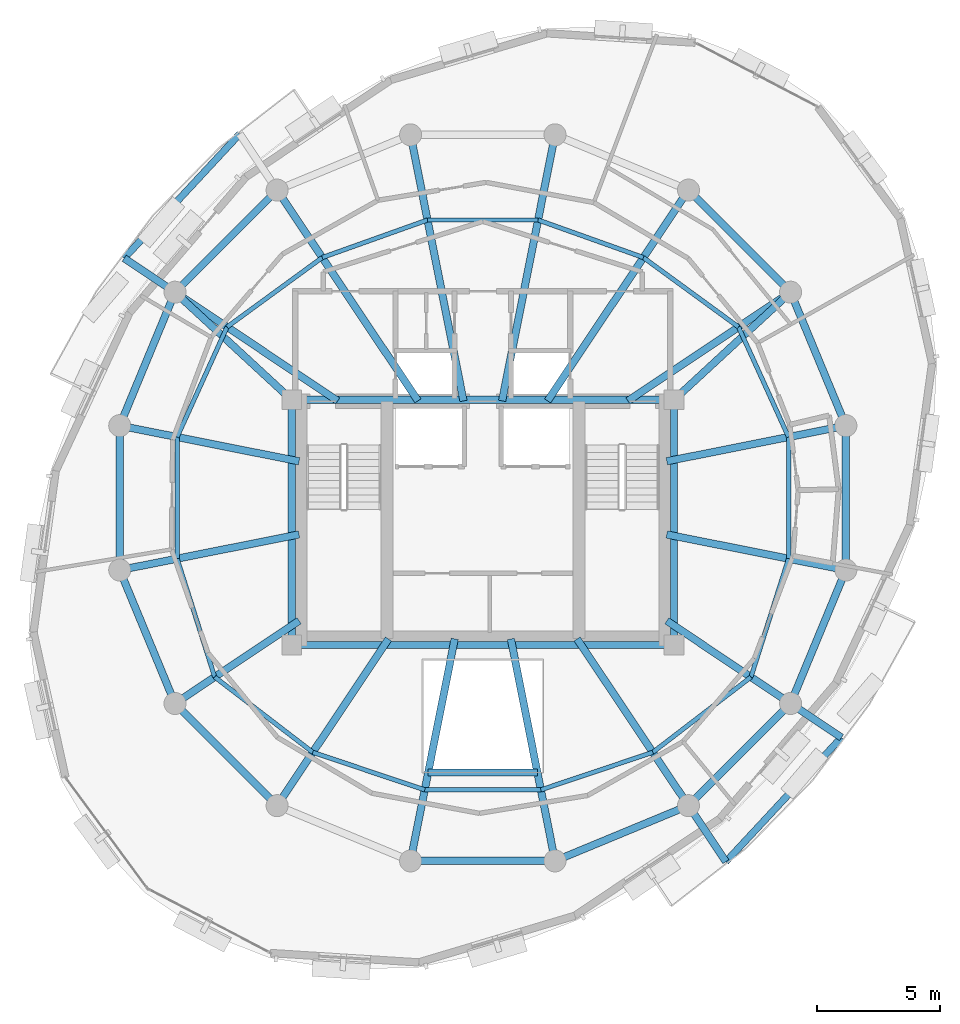
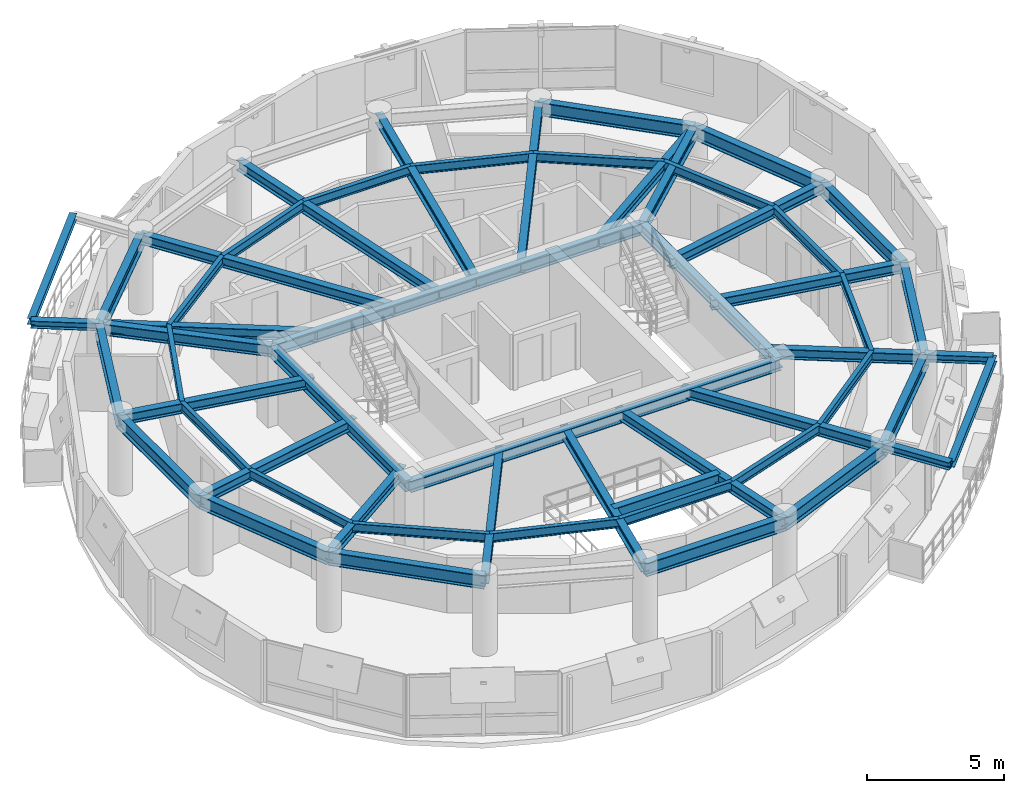
# One storey, part 3 of 11: 56 beams.
"""IFC4 building model written with IfcOpenShell, lengths in metres."""

import ifcopenshell
import ifcopenshell.guid

model = None  # the IFC model being written
_history = None  # IfcOwnerHistory: only IFC2X3 demands one
_inside = {}  # id of a spatial element -> (the spatial element, [elements in it])
_under = {}  # id of a project, library or spatial element -> (it, [spatial elements below it])
_declared = {}  # id of a project -> (the project, [libraries it declares])
_typed = {}  # id of a type object -> (the type object, [elements of that type])
_made_of = {}  # id of a material, layer set ... -> (it, [elements and type objects made of it])


def new_model(schema):
    """Start an empty IFC model of exactly this schema.

    Asked for "IFC4X3", IfcOpenShell would pick the latest addendum, in which some entities
    have other attributes; the version numbers below select the first issue.
    IFC2X3 requires an IfcOwnerHistory on every rooted entity: one is made here for all.
    """
    global model, _history
    if schema == "IFC4X3":
        model = ifcopenshell.file(schema_version=(4, 3, 0, 0))
    else:
        model = ifcopenshell.file(schema=schema)
    _inside.clear()
    _under.clear()
    _declared.clear()
    _typed.clear()
    _made_of.clear()
    _history = None
    if model.schema == "IFC2X3":
        org = make("IfcOrganization", Name="unknown")
        user = make(
            "IfcPersonAndOrganization",
            ThePerson=make("IfcPerson", FamilyName="unknown"),
            TheOrganization=org,
        )
        app = make(
            "IfcApplication",
            ApplicationDeveloper=org,
            Version="unknown",
            ApplicationFullName="unknown",
            ApplicationIdentifier="unknown",
        )
        _history = make(
            "IfcOwnerHistory",
            OwningUser=user,
            OwningApplication=app,
            ChangeAction="ADDED",
            CreationDate=0,
        )
    return model


def make(cls, **values):
    """One entity of the class cls with the attributes given. An attribute that is None is left unset."""
    return model.create_entity(
        cls, **{name: value for name, value in values.items() if value is not None}
    )


def rooted(cls, **values):
    """An entity with a GlobalId (a new one), such as an element, a storey or a relation."""
    return make(cls, GlobalId=ifcopenshell.guid.new(), OwnerHistory=_history, **values)


def si_unit(unit_type, name, prefix=None):
    """IfcSIUnit, for example si_unit("LENGTHUNIT", "METRE", prefix="MILLI")."""
    return make("IfcSIUnit", UnitType=unit_type, Prefix=prefix, Name=name)


def assignment(units):
    """IfcUnitAssignment: the units of a project."""
    return None if units is None else make("IfcUnitAssignment", Units=units)


def point(xyz):
    """IfcCartesianPoint."""
    return None if xyz is None else make("IfcCartesianPoint", Coordinates=xyz)


def direction(xyz):
    """IfcDirection."""
    return None if xyz is None else make("IfcDirection", DirectionRatios=xyz)


def frame(location, z_axis=None, x_axis=None):
    """IfcAxis2Placement3D, a coordinate frame: its origin and axes. An axis left out is left unset."""
    return make(
        "IfcAxis2Placement3D",
        Location=point(location),
        Axis=direction(z_axis),
        RefDirection=direction(x_axis),
    )


def frame_2d(location, x_axis=None):
    """IfcAxis2Placement2D, a coordinate frame in the plane: its origin and x axis."""
    return make(
        "IfcAxis2Placement2D", Location=point(location), RefDirection=direction(x_axis)
    )


def origin():
    """The frame at (0, 0, 0) with its axes left unset."""
    return frame((0.0, 0.0, 0.0))


def origin_2d():
    """The frame at (0, 0) in the plane with its x axis left unset."""
    return frame_2d((0.0, 0.0))


def place(relative_to, where):
    """IfcLocalPlacement: puts the frame where relative to a parent placement (None: the world)."""
    return make(
        "IfcLocalPlacement", PlacementRelTo=relative_to, RelativePlacement=where
    )


def context(
    kind, dimensions, precision=None, world=None, true_north=None, identifier=None
):
    """IfcGeometricRepresentationContext, for example the 3D "Model" context."""
    return make(
        "IfcGeometricRepresentationContext",
        ContextIdentifier=identifier,
        ContextType=kind,
        CoordinateSpaceDimension=dimensions,
        Precision=precision,
        WorldCoordinateSystem=world,
        TrueNorth=true_north,
    )


def subcontext(parent, identifier, kind, view, scale=None):
    """IfcGeometricRepresentationSubContext, for example "Body" below "Model"."""
    return make(
        "IfcGeometricRepresentationSubContext",
        ContextIdentifier=identifier,
        ContextType=kind,
        ParentContext=parent,
        TargetScale=scale,
        TargetView=view,
    )


def project(units=None, contexts=None):
    """IfcProject with its units and contexts."""
    return rooted(
        "IfcProject",
        Name="project",
        RepresentationContexts=contexts,
        UnitsInContext=assignment(units),
    )


def spatial(cls, under=None, at=None, **own):
    """A site, building, storey or space (cls), placed at a placement, below another one or the project."""
    s = rooted(cls, ObjectPlacement=at, **own)
    if under is not None:
        _under.setdefault(under.id(), (under, []))[1].append(s)
    return s


def profile(cls, at=None, kind="AREA", **sizes):
    """A parametric profile (cls). Its sizes go by their IFC names, for example OverallWidth=200.0."""
    return make(cls, ProfileType=kind, Position=at, **sizes)


def i_section(**sizes):
    """IfcIShapeProfileDef."""
    return profile("IfcIShapeProfileDef", **sizes)


def extrude(swept, where, along, depth):
    """IfcExtrudedAreaSolid: the profile swept, set in the frame where, extruded along a direction by depth."""
    return make(
        "IfcExtrudedAreaSolid",
        SweptArea=swept,
        Position=where,
        ExtrudedDirection=direction(along),
        Depth=depth,
    )


def shape(context_of_items, identifier, shape_type, items):
    """IfcShapeRepresentation: the items that make up one representation, for example the "Body"."""
    return make(
        "IfcShapeRepresentation",
        ContextOfItems=context_of_items,
        RepresentationIdentifier=identifier,
        RepresentationType=shape_type,
        Items=items,
    )


def material(Name=None, Category=None):
    """IfcMaterial."""
    return make("IfcMaterial", Name=Name, Category=Category)


def material_profile(
    of_material, cross_section, Name=None, Category=None, Priority=None
):
    """IfcMaterialProfile: a cross section and its material."""
    return make(
        "IfcMaterialProfile",
        Name=Name,
        Material=of_material,
        Profile=cross_section,
        Priority=Priority,
        Category=Category,
    )


def profile_set(profiles, Name=None, composite=None):
    """IfcMaterialProfileSet."""
    return make(
        "IfcMaterialProfileSet",
        Name=Name,
        MaterialProfiles=profiles,
        CompositeProfile=composite,
    )


def made_of(thing, what):
    """Note that an element or type object is made of a material, layer set ...; save() writes the relation."""
    if what is not None:
        _made_of.setdefault(what.id(), (what, []))[1].append(thing)
    return thing


def type_object(cls, material=None, **own):
    """A type object (cls), such as IfcWallType, which elements share."""
    return made_of(rooted(cls, **own), material)


def element(
    cls,
    number,
    at=None,
    inside=None,
    cuts=None,
    type_object=None,
    material=None,
    context=None,
    identifier="Body",
    shape_type=None,
    held_by="IfcProductDefinitionShape",
    body=None,
    shapes=None,
    **own,
):
    """One element of the class cls, such as IfcWall. Its Tag is "e" and its number.

    at: its placement. inside: the storey or other place that contains it. cuts: it is an
    opening in that element (IfcRelVoidsElement). A single representation is given by context,
    identifier, shape_type and body (its items); several are given by shapes. held_by: the class
    of the entity that holds the representations. save() writes the other relations.
    """
    e = rooted(cls, Tag="e%d" % number, ObjectPlacement=at, **own)
    if body is not None:
        shapes = [shape(context, identifier, shape_type, body)]
    if shapes is not None:
        e.Representation = make(held_by, Representations=shapes)
    if inside is not None:
        _inside.setdefault(inside.id(), (inside, []))[1].append(e)
    if cuts is not None:
        rooted(
            "IfcRelVoidsElement", RelatingBuildingElement=cuts, RelatedOpeningElement=e
        )
    if type_object is not None:
        _typed.setdefault(type_object.id(), (type_object, []))[1].append(e)
    return made_of(e, material)


def aggregate(whole, parts):
    """IfcRelAggregates: a whole, such as a stair, and the parts it consists of."""
    return rooted("IfcRelAggregates", RelatingObject=whole, RelatedObjects=parts)


def save(model, path):
    """Write the relations noted so far, then the file.

    IfcRelAggregates (storeys below a building ...), IfcRelContainedInSpatialStructure (elements
    in a storey), IfcRelDefinesByType, IfcRelAssociatesMaterial and IfcRelDeclares: one each for
    every whole, place, type object, material and project.
    """
    for whole, parts in _under.values():
        aggregate(whole, parts)
    for where, things in _inside.values():
        rooted(
            "IfcRelContainedInSpatialStructure",
            RelatedElements=things,
            RelatingStructure=where,
        )
    for kind, things in _typed.values():
        rooted("IfcRelDefinesByType", RelatedObjects=things, RelatingType=kind)
    for what, things in _made_of.values():
        rooted("IfcRelAssociatesMaterial", RelatedObjects=things, RelatingMaterial=what)
    for by, libraries in _declared.values():
        rooted("IfcRelDeclares", RelatingContext=by, RelatedDefinitions=libraries)
    model.write(path)


model = new_model("IFC4")

# Units and contexts
model_context = context("Model", 3, precision=1e-05, world=origin(), true_north=direction((0.0, 1.0)))
body_context = subcontext(model_context, "Body", "Model", "MODEL_VIEW")
ifc_project = project(units=[si_unit("LENGTHUNIT", "METRE"), si_unit("AREAUNIT", "SQUARE_METRE"), si_unit("VOLUMEUNIT", "CUBIC_METRE"), si_unit("PLANEANGLEUNIT", "RADIAN"), si_unit("MASSUNIT", "GRAM", prefix="KILO"), si_unit("THERMODYNAMICTEMPERATUREUNIT", "KELVIN"), si_unit("POWERUNIT", "WATT")], contexts=[model_context])

# Site, building, storey
site_placement = place(None, origin())
site = spatial("IfcSite", under=ifc_project, at=site_placement, CompositionType="ELEMENT")
building_placement = place(site_placement, origin())
building = spatial("IfcBuilding", under=site, at=building_placement, Name="Ocrelia Relay Tower", CompositionType="ELEMENT")
storey_placement = place(building_placement, frame((0.0, 0.0, 237.60009765625)))
storey = spatial("IfcBuildingStorey", under=building, at=storey_placement, Name="L58", CompositionType="ELEMENT", Elevation=237.60009765625)

# Beams
ifc_material = material(Name="Steel S355", Category="steel")
ifc_material_profile_1 = material_profile(ifc_material, i_section(OverallWidth=0.280029296875, OverallDepth=0.27001953125, WebThickness=0.008056640625, FlangeThickness=0.012939453125, FilletRadius=0.02392578125, at=origin_2d()), Name="HEA 280")
ifc_profile_set_1 = profile_set([ifc_material_profile_1], Name="Steel S355")
beam_type_1 = type_object("IfcBeamType", Name="BM-HEA280", PredefinedType="BEAM", material=ifc_profile_set_1)
for number, where, z_axis, x_axis, name in (
    (1, (24.081787109375, 40.843505859375, 3.244873046875), (-0.68080962338, -0.732460413069, 0.0), (0.732460413069, -0.68080962338, 0.0), "L59 Balcony Edge Trimmer Beam B1"),
    (2, (43.918212890625, 11.156494140625, 3.244873046875), (0.68080962338, 0.732460413069, 0.0), (-0.732460413069, 0.68080962338, 0.0), "L59 Balcony Edge Trimmer Beam B2"),
):
    element("IfcBeam", number, at=place(storey_placement, frame(where, z_axis=z_axis, x_axis=x_axis)), inside=storey, type_object=beam_type_1, Name=name, PredefinedType="BEAM", context=body_context, shape_type="SweptSolid", body=[
        extrude(i_section(OverallWidth=0.280029296875, OverallDepth=0.27001953125, WebThickness=0.008056640625, FlangeThickness=0.012939453125, FilletRadius=0.02392578125, at=origin_2d()), origin(), (0.0, 0.0, 1.0), 6.919921875),
    ])
ifc_material_profile_2 = material_profile(ifc_material, i_section(OverallWidth=0.300048828125, OverallDepth=0.330078125, WebThickness=0.009521484375, FlangeThickness=0.0166015625, FilletRadius=0.027099609375, at=origin_2d()), Name="HEA 340")
ifc_profile_set_2 = profile_set([ifc_material_profile_2], Name="Steel S355")
beam_type_2 = type_object("IfcBeamType", Name="BM-HEA340", PredefinedType="BEAM", material=ifc_profile_set_2)
beam_1_placement = place(storey_placement, frame((21.44482421875, 34.38916015625, 3.21484375), z_axis=(-0.831507845018, 0.555513009454, 0.0), x_axis=(-0.555513009454, -0.831507845018, 0.0)))
element("IfcBeam", 3, at=beam_1_placement, inside=storey, type_object=beam_type_2, Name="L59 Balcony Cantilever Beam B1-2", PredefinedType="BEAM", context=body_context, shape_type="SweptSolid", body=[
    extrude(i_section(OverallWidth=0.300048828125, OverallDepth=0.330078125, WebThickness=0.009521484375, FlangeThickness=0.0166015625, FilletRadius=0.027099609375, at=origin_2d()), origin(), (0.0, 0.0, 1.0), 2.49462890625),
])
beam_2_placement = place(storey_placement, frame((42.38916015625, 13.44482421875, 3.21484375), z_axis=(0.555580145188, -0.831462989118, 0.0), x_axis=(0.831462989118, 0.555580145188, 0.0)))
element("IfcBeam", 4, at=beam_2_placement, inside=storey, type_object=beam_type_2, Name="L59 Balcony Cantilever Beam B2-1", PredefinedType="BEAM", context=body_context, shape_type="SweptSolid", body=[
    extrude(i_section(OverallWidth=0.300048828125, OverallDepth=0.330078125, WebThickness=0.009521484375, FlangeThickness=0.0166015625, FilletRadius=0.027099609375, at=origin_2d()), origin(), (0.0, 0.0, 1.0), 2.752197265625),
])
beam_3_placement = place(storey_placement, frame((46.55517578125, 17.61083984375, 3.21484375), z_axis=(0.831507845018, -0.555513009454, 0.0), x_axis=(0.555513009454, 0.831507845018, 0.0)))
element("IfcBeam", 5, at=beam_3_placement, inside=storey, type_object=beam_type_2, Name="L59 Balcony Cantilever Beam B2-2", PredefinedType="BEAM", context=body_context, shape_type="SweptSolid", body=[
    extrude(i_section(OverallWidth=0.300048828125, OverallDepth=0.330078125, WebThickness=0.009521484375, FlangeThickness=0.0166015625, FilletRadius=0.027099609375, at=origin_2d()), origin(), (0.0, 0.0, 1.0), 2.49462890625),
])
ifc_material_profile_3 = material_profile(ifc_material, i_section(OverallWidth=0.300048828125, OverallDepth=0.449951171875, WebThickness=0.013916015625, FlangeThickness=0.02587890625, FilletRadius=0.027099609375, at=origin_2d()), Name="HEB 450")
ifc_profile_set_3 = profile_set([ifc_material_profile_3], Name="Steel S355")
beam_type_3 = type_object("IfcBeamType", Name="BM-HEB450", PredefinedType="BEAM", material=ifc_profile_set_3)
beam_4_placement = place(storey_placement, frame((48.809814453125, 28.94580078125, 3.15478515625), z_axis=(-0.980789400571, -0.195069607393, 0.0), x_axis=(0.195069607393, -0.980789400571, 0.0)))
element("IfcBeam", 6, at=beam_4_placement, inside=storey, type_object=beam_type_3, Name="L58 Radial Floor Girder R01", PredefinedType="BEAM", context=body_context, shape_type="SweptSolid", body=[
    extrude(i_section(OverallWidth=0.300048828125, OverallDepth=0.449951171875, WebThickness=0.013916015625, FlangeThickness=0.02587890625, FilletRadius=0.027099609375, at=origin_2d()), origin(), (0.0, 0.0, 1.0), 7.447998046875),
])
beam_5_placement = place(storey_placement, frame((46.55517578125, 34.38916015625, 3.15478515625), z_axis=(-0.83146627118, -0.555575233331, 0.0), x_axis=(0.555575233331, -0.83146627118, 0.0)))
element("IfcBeam", 7, at=beam_5_placement, inside=storey, type_object=beam_type_3, Name="L58 Radial Floor Girder R02", PredefinedType="BEAM", context=body_context, shape_type="SweptSolid", body=[
    extrude(i_section(OverallWidth=0.300048828125, OverallDepth=0.449951171875, WebThickness=0.013916015625, FlangeThickness=0.02587890625, FilletRadius=0.027099609375, at=origin_2d()), origin(), (0.0, 0.0, 1.0), 7.98095703125),
])
beam_6_placement = place(storey_placement, frame((42.38916015625, 38.55517578125, 3.15478515625), z_axis=(-0.555582296999, -0.831461551283, 0.0), x_axis=(0.831461551283, -0.555582296999, 0.0)))
element("IfcBeam", 8, at=beam_6_placement, inside=storey, type_object=beam_type_3, Name="L58 Radial Floor Girder R03", PredefinedType="BEAM", context=body_context, shape_type="SweptSolid", body=[
    extrude(i_section(OverallWidth=0.300048828125, OverallDepth=0.449951171875, WebThickness=0.013916015625, FlangeThickness=0.02587890625, FilletRadius=0.027099609375, at=origin_2d()), origin(), (0.0, 0.0, 1.0), 10.34326171875),
])
for number, where, z_axis, x_axis, name in (
    (9, (36.94580078125, 40.809814453125, 3.15478515625), (-0.195093658495, -0.98078461673, 0.0), (0.98078461673, -0.195093658495, 0.0), "L58 Radial Floor Girder R04"),
    (10, (31.05419921875, 40.809814453125, 3.15478515625), (0.195093658495, -0.98078461673, 0.0), (0.98078461673, 0.195093658495, 0.0), "L58 Radial Floor Girder R05"),
):
    element("IfcBeam", number, at=place(storey_placement, frame(where, z_axis=z_axis, x_axis=x_axis)), inside=storey, type_object=beam_type_3, Name=name, PredefinedType="BEAM", context=body_context, shape_type="SweptSolid", body=[
        extrude(i_section(OverallWidth=0.300048828125, OverallDepth=0.449951171875, WebThickness=0.013916015625, FlangeThickness=0.02587890625, FilletRadius=0.027099609375, at=origin_2d()), origin(), (0.0, 0.0, 1.0), 11.0673828125),
    ])
beam_7_placement = place(storey_placement, frame((25.61083984375, 38.55517578125, 3.15478515625), z_axis=(0.555582296999, -0.831461551283, 0.0), x_axis=(0.831461551283, 0.555582296999, 0.0)))
element("IfcBeam", 11, at=beam_7_placement, inside=storey, type_object=beam_type_3, Name="L58 Radial Floor Girder R06", PredefinedType="BEAM", context=body_context, shape_type="SweptSolid", body=[
    extrude(i_section(OverallWidth=0.300048828125, OverallDepth=0.449951171875, WebThickness=0.013916015625, FlangeThickness=0.02587890625, FilletRadius=0.027099609375, at=origin_2d()), origin(), (0.0, 0.0, 1.0), 10.34326171875),
])
beam_8_placement = place(storey_placement, frame((21.44482421875, 34.38916015625, 3.15478515625), z_axis=(0.83146627118, -0.555575233331, 0.0), x_axis=(0.555575233331, 0.83146627118, 0.0)))
element("IfcBeam", 12, at=beam_8_placement, inside=storey, type_object=beam_type_3, Name="L58 Radial Floor Girder R07", PredefinedType="BEAM", context=body_context, shape_type="SweptSolid", body=[
    extrude(i_section(OverallWidth=0.300048828125, OverallDepth=0.449951171875, WebThickness=0.013916015625, FlangeThickness=0.02587890625, FilletRadius=0.027099609375, at=origin_2d()), origin(), (0.0, 0.0, 1.0), 7.98095703125),
])
for number, where, z_axis, x_axis, name in (
    (13, (19.190185546875, 28.94580078125, 3.15478515625), (0.980789122594, -0.195071005024, 0.0), (0.195071005024, 0.980789122594, 0.0), "L58 Radial Floor Girder R08"),
    (14, (19.190185546875, 23.05419921875, 3.15478515625), (0.980789122594, 0.195071005024, 0.0), (-0.195071005024, 0.980789122594, 0.0), "L58 Radial Floor Girder R09"),
):
    element("IfcBeam", number, at=place(storey_placement, frame(where, z_axis=z_axis, x_axis=x_axis)), inside=storey, type_object=beam_type_3, Name=name, PredefinedType="BEAM", context=body_context, shape_type="SweptSolid", body=[
        extrude(i_section(OverallWidth=0.300048828125, OverallDepth=0.449951171875, WebThickness=0.013916015625, FlangeThickness=0.02587890625, FilletRadius=0.027099609375, at=origin_2d()), origin(), (0.0, 0.0, 1.0), 7.4580078125),
    ])
beam_9_placement = place(storey_placement, frame((21.44482421875, 17.61083984375, 3.15478515625), z_axis=(0.831463505153, 0.555579372906, 0.0), x_axis=(-0.555579372906, 0.831463505153, 0.0)))
element("IfcBeam", 15, at=beam_9_placement, inside=storey, type_object=beam_type_3, Name="L58 Radial Floor Girder R10", PredefinedType="BEAM", context=body_context, shape_type="SweptSolid", body=[
    extrude(i_section(OverallWidth=0.300048828125, OverallDepth=0.449951171875, WebThickness=0.013916015625, FlangeThickness=0.02587890625, FilletRadius=0.027099609375, at=origin_2d()), origin(), (0.0, 0.0, 1.0), 6.085693359375),
])
beam_10_placement = place(storey_placement, frame((25.61083984375, 13.44482421875, 3.15478515625), z_axis=(0.555560991962, 0.831475786906, 0.0), x_axis=(-0.831475786906, 0.555560991962, 0.0)))
element("IfcBeam", 16, at=beam_10_placement, inside=storey, type_object=beam_type_3, Name="L58 Radial Floor Girder R11", PredefinedType="BEAM", context=body_context, shape_type="SweptSolid", body=[
    extrude(i_section(OverallWidth=0.300048828125, OverallDepth=0.449951171875, WebThickness=0.013916015625, FlangeThickness=0.02587890625, FilletRadius=0.027099609375, at=origin_2d()), origin(), (0.0, 0.0, 1.0), 8.178466796875),
])
for number, where, z_axis, x_axis, name in (
    (17, (31.05419921875, 11.190185546875, 3.15478515625), (0.195078600472, 0.98078761189, 0.0), (-0.98078761189, 0.195078600472, 0.0), "L58 Radial Floor Girder R12"),
    (18, (36.94580078125, 11.190185546875, 3.15478515625), (-0.195078600472, 0.98078761189, 0.0), (-0.98078761189, -0.195078600472, 0.0), "L58 Radial Floor Girder R13"),
):
    element("IfcBeam", number, at=place(storey_placement, frame(where, z_axis=z_axis, x_axis=x_axis)), inside=storey, type_object=beam_type_3, Name=name, PredefinedType="BEAM", context=body_context, shape_type="SweptSolid", body=[
        extrude(i_section(OverallWidth=0.300048828125, OverallDepth=0.449951171875, WebThickness=0.013916015625, FlangeThickness=0.02587890625, FilletRadius=0.027099609375, at=origin_2d()), origin(), (0.0, 0.0, 1.0), 9.232421875),
    ])
beam_11_placement = place(storey_placement, frame((42.38916015625, 13.44482421875, 3.15478515625), z_axis=(-0.555560991962, 0.831475786906, 0.0), x_axis=(-0.831475786906, -0.555560991962, 0.0)))
element("IfcBeam", 19, at=beam_11_placement, inside=storey, type_object=beam_type_3, Name="L58 Radial Floor Girder R14", PredefinedType="BEAM", context=body_context, shape_type="SweptSolid", body=[
    extrude(i_section(OverallWidth=0.300048828125, OverallDepth=0.449951171875, WebThickness=0.013916015625, FlangeThickness=0.02587890625, FilletRadius=0.027099609375, at=origin_2d()), origin(), (0.0, 0.0, 1.0), 8.178466796875),
])
beam_12_placement = place(storey_placement, frame((46.55517578125, 17.61083984375, 3.15478515625), z_axis=(-0.831468559595, 0.555571808504, 0.0), x_axis=(-0.555571808504, -0.831468559595, 0.0)))
element("IfcBeam", 20, at=beam_12_placement, inside=storey, type_object=beam_type_3, Name="L58 Radial Floor Girder R15", PredefinedType="BEAM", context=body_context, shape_type="SweptSolid", body=[
    extrude(i_section(OverallWidth=0.300048828125, OverallDepth=0.449951171875, WebThickness=0.013916015625, FlangeThickness=0.02587890625, FilletRadius=0.027099609375, at=origin_2d()), origin(), (0.0, 0.0, 1.0), 6.073974609375),
])
beam_13_placement = place(storey_placement, frame((48.809814453125, 23.05419921875, 3.15478515625), z_axis=(-0.980789400571, 0.195069607393, 0.0), x_axis=(-0.195069607393, -0.980789400571, 0.0)))
element("IfcBeam", 21, at=beam_13_placement, inside=storey, type_object=beam_type_3, Name="L58 Radial Floor Girder R16", PredefinedType="BEAM", context=body_context, shape_type="SweptSolid", body=[
    extrude(i_section(OverallWidth=0.300048828125, OverallDepth=0.449951171875, WebThickness=0.013916015625, FlangeThickness=0.02587890625, FilletRadius=0.027099609375, at=origin_2d()), origin(), (0.0, 0.0, 1.0), 7.447998046875),
])
ifc_material_profile_4 = material_profile(ifc_material, i_section(OverallWidth=0.300048828125, OverallDepth=0.5, WebThickness=0.014404296875, FlangeThickness=0.028076171875, FilletRadius=0.027099609375, at=origin_2d()), Name="HEB 500")
ifc_profile_set_4 = profile_set([ifc_material_profile_4], Name="Steel S355")
beam_type_4 = type_object("IfcBeamType", Name="BM-HEB500", PredefinedType="BEAM", material=ifc_profile_set_4)
for number, where, z_axis, x_axis, name in (
    (22, (26.199951171875, 20.0, 3.1298828125), (1.0, 0.0, 0.0), (0.0, 1.0, 0.0), "L58 Core Pilaster Tie Beam S"),
    (23, (26.199951171875, 30.0, 3.1298828125), (1.0, 0.0, 0.0), (0.0, 1.0, 0.0), "L58 Core Pilaster Tie Beam N"),
):
    element("IfcBeam", number, at=place(storey_placement, frame(where, z_axis=z_axis, x_axis=x_axis)), inside=storey, type_object=beam_type_4, Name=name, PredefinedType="BEAM", context=body_context, shape_type="SweptSolid", body=[
        extrude(i_section(OverallWidth=0.300048828125, OverallDepth=0.5, WebThickness=0.014404296875, FlangeThickness=0.028076171875, FilletRadius=0.027099609375, at=origin_2d()), origin(), (0.0, 0.0, 1.0), 15.60009765625),
    ])
for number, where, z_axis, x_axis, name in (
    (24, (26.199951171875, 20.0, 3.1298828125), (0.0, 1.0, 0.0), (-1.0, 0.0, 0.0), "L58 Core Pilaster Tie Beam W"),
    (25, (41.800048828125, 20.0, 3.1298828125), (0.0, 1.0, 0.0), (-1.0, 0.0, 0.0), "L58 Core Pilaster Tie Beam E"),
):
    element("IfcBeam", number, at=place(storey_placement, frame(where, z_axis=z_axis, x_axis=x_axis)), inside=storey, type_object=beam_type_4, Name=name, PredefinedType="BEAM", context=body_context, shape_type="SweptSolid", body=[
        extrude(i_section(OverallWidth=0.300048828125, OverallDepth=0.5, WebThickness=0.014404296875, FlangeThickness=0.028076171875, FilletRadius=0.027099609375, at=origin_2d()), origin(), (0.0, 0.0, 1.0), 10.0),
    ])
for number, where, z_axis, x_axis, name in (
    (26, (46.55517578125, 34.38916015625, 3.1298828125), (-0.734817908666, -0.678264433023, 0.0), (0.678264433023, -0.734817908666, 0.0), "L58 Core Pilaster Frame Tie Beam PT02"),
    (27, (21.44482421875, 34.38916015625, 3.1298828125), (0.734817908666, -0.678264433023, 0.0), (0.678264433023, 0.734817908666, 0.0), "L58 Core Pilaster Frame Tie Beam PT07"),
):
    element("IfcBeam", number, at=place(storey_placement, frame(where, z_axis=z_axis, x_axis=x_axis)), inside=storey, type_object=beam_type_4, Name=name, PredefinedType="BEAM", context=body_context, shape_type="SweptSolid", body=[
        extrude(i_section(OverallWidth=0.300048828125, OverallDepth=0.5, WebThickness=0.014404296875, FlangeThickness=0.028076171875, FilletRadius=0.027099609375, at=origin_2d()), origin(), (0.0, 0.0, 1.0), 6.47119140625),
    ])
ifc_material_profile_5 = material_profile(ifc_material, i_section(OverallWidth=0.300048828125, OverallDepth=0.550048828125, WebThickness=0.014892578125, FlangeThickness=0.029052734375, FilletRadius=0.027099609375, at=origin_2d()), Name="HEB 550")
ifc_profile_set_5 = profile_set([ifc_material_profile_5], Name="Steel S355")
beam_type_5 = type_object("IfcBeamType", Name="BM-HEB550", PredefinedType="BEAM", material=ifc_profile_set_5)
beam_14_placement = place(storey_placement, frame((31.772216796875, 14.800048828125, 3.10498046875), z_axis=(1.0, 0.0, 0.0), x_axis=(0.0, 1.0, 0.0)))
element("IfcBeam", 28, at=beam_14_placement, inside=storey, type_object=beam_type_5, Name="L58 Atrium South Trimmer Beam", PredefinedType="BEAM", context=body_context, shape_type="SweptSolid", body=[
    extrude(i_section(OverallWidth=0.300048828125, OverallDepth=0.550048828125, WebThickness=0.014892578125, FlangeThickness=0.029052734375, FilletRadius=0.027099609375, at=origin_2d()), origin(), (0.0, 0.0, 1.0), 4.45556640625),
])
ifc_material_profile_6 = material_profile(ifc_material, i_section(OverallWidth=0.300048828125, OverallDepth=0.60009765625, WebThickness=0.015380859375, FlangeThickness=0.030029296875, FilletRadius=0.027099609375, at=origin_2d()), Name="HEB 600")
ifc_profile_set_6 = profile_set([ifc_material_profile_6], Name="Steel S355")
beam_type_6 = type_object("IfcBeamType", Name="BM-HEB600", PredefinedType="BEAM", material=ifc_profile_set_6)
beam_15_placement = place(storey_placement, frame((48.809814453125, 28.94580078125, 3.079833984375), z_axis=(-0.382672624084, 0.923884009374, 0.0), x_axis=(-0.923884009374, -0.382672624084, 0.0)))
element("IfcBeam", 29, at=beam_15_placement, inside=storey, type_object=beam_type_6, Name="L58 Perimeter Spandrel Beam S01", PredefinedType="BEAM", context=body_context, shape_type="SweptSolid", body=[
    extrude(i_section(OverallWidth=0.300048828125, OverallDepth=0.60009765625, WebThickness=0.015380859375, FlangeThickness=0.030029296875, FilletRadius=0.027099609375, at=origin_2d()), origin(), (0.0, 0.0, 1.0), 5.891845703125),
])
for number, where, z_axis, x_axis, name in (
    (30, (46.55517578125, 34.38916015625, 3.079833984375), (-0.707106781187, 0.707106781187, 0.0), (-0.707106781187, -0.707106781187, 0.0), "L58 Perimeter Spandrel Beam S02"),
    (31, (25.61083984375, 38.55517578125, 3.079833984375), (-0.707106781187, -0.707106781187, 0.0), (0.707106781187, -0.707106781187, 0.0), "L58 Perimeter Spandrel Beam S06"),
):
    element("IfcBeam", number, at=place(storey_placement, frame(where, z_axis=z_axis, x_axis=x_axis)), inside=storey, type_object=beam_type_6, Name=name, PredefinedType="BEAM", context=body_context, shape_type="SweptSolid", body=[
        extrude(i_section(OverallWidth=0.300048828125, OverallDepth=0.60009765625, WebThickness=0.015380859375, FlangeThickness=0.030029296875, FilletRadius=0.027099609375, at=origin_2d()), origin(), (0.0, 0.0, 1.0), 5.8916015625),
    ])
beam_16_placement = place(storey_placement, frame((21.44482421875, 34.38916015625, 3.079833984375), z_axis=(-0.382672624084, -0.923884009374, 0.0), x_axis=(0.923884009374, -0.382672624084, 0.0)))
element("IfcBeam", 32, at=beam_16_placement, inside=storey, type_object=beam_type_6, Name="L58 Perimeter Spandrel Beam S07", PredefinedType="BEAM", context=body_context, shape_type="SweptSolid", body=[
    extrude(i_section(OverallWidth=0.300048828125, OverallDepth=0.60009765625, WebThickness=0.015380859375, FlangeThickness=0.030029296875, FilletRadius=0.027099609375, at=origin_2d()), origin(), (0.0, 0.0, 1.0), 5.891845703125),
])
beam_17_placement = place(storey_placement, frame((19.190185546875, 28.94580078125, 3.079833984375), z_axis=(0.0, -1.0, 0.0), x_axis=(1.0, 0.0, 0.0)))
element("IfcBeam", 33, at=beam_17_placement, inside=storey, type_object=beam_type_6, Name="L58 Perimeter Spandrel Beam S08", PredefinedType="BEAM", context=body_context, shape_type="SweptSolid", body=[
    extrude(i_section(OverallWidth=0.300048828125, OverallDepth=0.60009765625, WebThickness=0.015380859375, FlangeThickness=0.030029296875, FilletRadius=0.027099609375, at=origin_2d()), origin(), (0.0, 0.0, 1.0), 5.8916015625),
])
beam_18_placement = place(storey_placement, frame((19.190185546875, 23.05419921875, 3.079833984375), z_axis=(0.382672624084, -0.923884009374, 0.0), x_axis=(0.923884009374, 0.382672624084, 0.0)))
element("IfcBeam", 34, at=beam_18_placement, inside=storey, type_object=beam_type_6, Name="L58 Perimeter Spandrel Beam S09", PredefinedType="BEAM", context=body_context, shape_type="SweptSolid", body=[
    extrude(i_section(OverallWidth=0.300048828125, OverallDepth=0.60009765625, WebThickness=0.015380859375, FlangeThickness=0.030029296875, FilletRadius=0.027099609375, at=origin_2d()), origin(), (0.0, 0.0, 1.0), 5.891845703125),
])
for number, where, z_axis, x_axis, name in (
    (35, (21.44482421875, 17.61083984375, 3.079833984375), (0.707106781187, -0.707106781187, 0.0), (0.707106781187, 0.707106781187, 0.0), "L58 Perimeter Spandrel Beam S10"),
    (36, (31.05419921875, 11.190185546875, 3.079833984375), (1.0, 0.0, 0.0), (0.0, 1.0, 0.0), "L58 Perimeter Spandrel Beam S12"),
):
    element("IfcBeam", number, at=place(storey_placement, frame(where, z_axis=z_axis, x_axis=x_axis)), inside=storey, type_object=beam_type_6, Name=name, PredefinedType="BEAM", context=body_context, shape_type="SweptSolid", body=[
        extrude(i_section(OverallWidth=0.300048828125, OverallDepth=0.60009765625, WebThickness=0.015380859375, FlangeThickness=0.030029296875, FilletRadius=0.027099609375, at=origin_2d()), origin(), (0.0, 0.0, 1.0), 5.8916015625),
    ])
beam_19_placement = place(storey_placement, frame((36.94580078125, 11.190185546875, 3.079833984375), z_axis=(0.923884009374, 0.382672624084, 0.0), x_axis=(-0.382672624084, 0.923884009374, 0.0)))
element("IfcBeam", 37, at=beam_19_placement, inside=storey, type_object=beam_type_6, Name="L58 Perimeter Spandrel Beam S13", PredefinedType="BEAM", context=body_context, shape_type="SweptSolid", body=[
    extrude(i_section(OverallWidth=0.300048828125, OverallDepth=0.60009765625, WebThickness=0.015380859375, FlangeThickness=0.030029296875, FilletRadius=0.027099609375, at=origin_2d()), origin(), (0.0, 0.0, 1.0), 5.891845703125),
])
beam_20_placement = place(storey_placement, frame((42.38916015625, 13.44482421875, 3.079833984375), z_axis=(0.707106781187, 0.707106781187, 0.0), x_axis=(-0.707106781187, 0.707106781187, 0.0)))
element("IfcBeam", 38, at=beam_20_placement, inside=storey, type_object=beam_type_6, Name="L58 Perimeter Spandrel Beam S14", PredefinedType="BEAM", context=body_context, shape_type="SweptSolid", body=[
    extrude(i_section(OverallWidth=0.300048828125, OverallDepth=0.60009765625, WebThickness=0.015380859375, FlangeThickness=0.030029296875, FilletRadius=0.027099609375, at=origin_2d()), origin(), (0.0, 0.0, 1.0), 5.8916015625),
])
beam_21_placement = place(storey_placement, frame((46.55517578125, 17.61083984375, 3.079833984375), z_axis=(0.382672624084, 0.923884009374, 0.0), x_axis=(-0.923884009374, 0.382672624084, 0.0)))
element("IfcBeam", 39, at=beam_21_placement, inside=storey, type_object=beam_type_6, Name="L58 Perimeter Spandrel Beam S15", PredefinedType="BEAM", context=body_context, shape_type="SweptSolid", body=[
    extrude(i_section(OverallWidth=0.300048828125, OverallDepth=0.60009765625, WebThickness=0.015380859375, FlangeThickness=0.030029296875, FilletRadius=0.027099609375, at=origin_2d()), origin(), (0.0, 0.0, 1.0), 5.891845703125),
])
beam_22_placement = place(storey_placement, frame((48.809814453125, 23.05419921875, 3.079833984375), z_axis=(0.0, 1.0, 0.0), x_axis=(-1.0, 0.0, 0.0)))
element("IfcBeam", 40, at=beam_22_placement, inside=storey, type_object=beam_type_6, Name="L58 Perimeter Spandrel Beam S16", PredefinedType="BEAM", context=body_context, shape_type="SweptSolid", body=[
    extrude(i_section(OverallWidth=0.300048828125, OverallDepth=0.60009765625, WebThickness=0.015380859375, FlangeThickness=0.030029296875, FilletRadius=0.027099609375, at=origin_2d()), origin(), (0.0, 0.0, 1.0), 5.8916015625),
])
ifc_material_profile_7 = material_profile(ifc_material, i_section(OverallWidth=0.179931640625, OverallDepth=0.39990234375, WebThickness=0.008544921875, FlangeThickness=0.013427734375, FilletRadius=0.02099609375, at=origin_2d()), Name="IPE 400")
ifc_profile_set_7 = profile_set([ifc_material_profile_7], Name="Steel S355")
beam_type_7 = type_object("IfcBeamType", Name="BM-IPE400", PredefinedType="JOIST", material=ifc_profile_set_7)
beam_23_placement = place(storey_placement, frame((46.472412109375, 28.48095703125, 3.179931640625), z_axis=(-0.413836514443, 0.91035121756, 0.0), x_axis=(-0.91035121756, -0.413836514443, 0.0)))
element("IfcBeam", 41, at=beam_23_placement, inside=storey, type_object=beam_type_7, Name="L58 Secondary Floor Joist J01", PredefinedType="JOIST", context=body_context, shape_type="SweptSolid", body=[
    extrude(i_section(OverallWidth=0.179931640625, OverallDepth=0.39990234375, WebThickness=0.008544921875, FlangeThickness=0.013427734375, FilletRadius=0.02099609375, at=origin_2d()), origin(), (0.0, 0.0, 1.0), 4.931396484375),
])
beam_24_placement = place(storey_placement, frame((44.431640625, 32.97021484375, 3.179931640625), z_axis=(-0.80774844416, 0.58952731146, 0.0), x_axis=(-0.58952731146, -0.80774844416, 0.0)))
element("IfcBeam", 42, at=beam_24_placement, inside=storey, type_object=beam_type_7, Name="L58 Secondary Floor Joist J02", PredefinedType="JOIST", context=body_context, shape_type="SweptSolid", body=[
    extrude(i_section(OverallWidth=0.179931640625, OverallDepth=0.39990234375, WebThickness=0.008544921875, FlangeThickness=0.013427734375, FilletRadius=0.02099609375, at=origin_2d()), origin(), (0.0, 0.0, 1.0), 4.80517578125),
])
beam_25_placement = place(storey_placement, frame((40.55029296875, 35.802978515625, 3.179931640625), z_axis=(-0.94180245035, 0.336166840298, 0.0), x_axis=(-0.336166840298, -0.94180245035, 0.0)))
element("IfcBeam", 43, at=beam_25_placement, inside=storey, type_object=beam_type_7, Name="L58 Secondary Floor Joist J03", PredefinedType="JOIST", context=body_context, shape_type="SweptSolid", body=[
    extrude(i_section(OverallWidth=0.179931640625, OverallDepth=0.39990234375, WebThickness=0.008544921875, FlangeThickness=0.013427734375, FilletRadius=0.02099609375, at=origin_2d()), origin(), (0.0, 0.0, 1.0), 4.560791015625),
])
beam_26_placement = place(storey_placement, frame((36.2548828125, 37.336181640625, 3.179931640625), z_axis=(-1.0, 0.0, 0.0), x_axis=(0.0, -1.0, 0.0)))
element("IfcBeam", 44, at=beam_26_placement, inside=storey, type_object=beam_type_7, Name="L58 Secondary Floor Joist J04", PredefinedType="JOIST", context=body_context, shape_type="SweptSolid", body=[
    extrude(i_section(OverallWidth=0.179931640625, OverallDepth=0.39990234375, WebThickness=0.008544921875, FlangeThickness=0.013427734375, FilletRadius=0.02099609375, at=origin_2d()), origin(), (0.0, 0.0, 1.0), 4.509765625),
])
beam_27_placement = place(storey_placement, frame((31.7451171875, 37.336181640625, 3.179931640625), z_axis=(-0.94180245035, -0.336166840298, 0.0), x_axis=(0.336166840298, -0.94180245035, 0.0)))
element("IfcBeam", 45, at=beam_27_placement, inside=storey, type_object=beam_type_7, Name="L58 Secondary Floor Joist J05", PredefinedType="JOIST", context=body_context, shape_type="SweptSolid", body=[
    extrude(i_section(OverallWidth=0.179931640625, OverallDepth=0.39990234375, WebThickness=0.008544921875, FlangeThickness=0.013427734375, FilletRadius=0.02099609375, at=origin_2d()), origin(), (0.0, 0.0, 1.0), 4.560791015625),
])
beam_28_placement = place(storey_placement, frame((27.44970703125, 35.802978515625, 3.179931640625), z_axis=(-0.80774844416, -0.58952731146, 0.0), x_axis=(0.58952731146, -0.80774844416, 0.0)))
element("IfcBeam", 46, at=beam_28_placement, inside=storey, type_object=beam_type_7, Name="L58 Secondary Floor Joist J06", PredefinedType="JOIST", context=body_context, shape_type="SweptSolid", body=[
    extrude(i_section(OverallWidth=0.179931640625, OverallDepth=0.39990234375, WebThickness=0.008544921875, FlangeThickness=0.013427734375, FilletRadius=0.02099609375, at=origin_2d()), origin(), (0.0, 0.0, 1.0), 4.80517578125),
])
beam_29_placement = place(storey_placement, frame((23.568359375, 32.97021484375, 3.179931640625), z_axis=(-0.413205957462, -0.910637599003, 0.0), x_axis=(0.910637599003, -0.413205957462, 0.0)))
element("IfcBeam", 47, at=beam_29_placement, inside=storey, type_object=beam_type_7, Name="L58 Secondary Floor Joist J07", PredefinedType="JOIST", context=body_context, shape_type="SweptSolid", body=[
    extrude(i_section(OverallWidth=0.179931640625, OverallDepth=0.39990234375, WebThickness=0.008544921875, FlangeThickness=0.013427734375, FilletRadius=0.02099609375, at=origin_2d()), origin(), (0.0, 0.0, 1.0), 4.9306640625),
])
beam_30_placement = place(storey_placement, frame((21.531005859375, 28.480224609375, 3.179931640625), z_axis=(0.0, -1.0, 0.0), x_axis=(1.0, 0.0, 0.0)))
element("IfcBeam", 48, at=beam_30_placement, inside=storey, type_object=beam_type_7, Name="L58 Secondary Floor Joist J08", PredefinedType="JOIST", context=body_context, shape_type="SweptSolid", body=[
    extrude(i_section(OverallWidth=0.179931640625, OverallDepth=0.39990234375, WebThickness=0.008544921875, FlangeThickness=0.013427734375, FilletRadius=0.02099609375, at=origin_2d()), origin(), (0.0, 0.0, 1.0), 4.96044921875),
])
beam_31_placement = place(storey_placement, frame((21.531005859375, 23.519775390625, 3.179931640625), z_axis=(0.302732054046, -0.953075707094, 0.0), x_axis=(0.953075707094, 0.302732054046, 0.0)))
element("IfcBeam", 49, at=beam_31_placement, inside=storey, type_object=beam_type_7, Name="L58 Secondary Floor Joist J09", PredefinedType="JOIST", context=body_context, shape_type="SweptSolid", body=[
    extrude(i_section(OverallWidth=0.179931640625, OverallDepth=0.39990234375, WebThickness=0.008544921875, FlangeThickness=0.013427734375, FilletRadius=0.02099609375, at=origin_2d()), origin(), (0.0, 0.0, 1.0), 5.064453125),
])
beam_32_placement = place(storey_placement, frame((23.064208984375, 18.69287109375, 3.179931640625), z_axis=(0.793147291367, -0.60902986314, 0.0), x_axis=(0.60902986314, 0.793147291367, 0.0)))
element("IfcBeam", 50, at=beam_32_placement, inside=storey, type_object=beam_type_7, Name="L58 Secondary Floor Joist J10", PredefinedType="JOIST", context=body_context, shape_type="SweptSolid", body=[
    extrude(i_section(OverallWidth=0.179931640625, OverallDepth=0.39990234375, WebThickness=0.008544921875, FlangeThickness=0.013427734375, FilletRadius=0.02099609375, at=origin_2d()), origin(), (0.0, 0.0, 1.0), 5.044189453125),
])
beam_33_placement = place(storey_placement, frame((27.06494140625, 15.620849609375, 3.179931640625), z_axis=(0.947976335242, -0.318340804519, 0.0), x_axis=(0.318340804519, 0.947976335242, 0.0)))
element("IfcBeam", 51, at=beam_33_placement, inside=storey, type_object=beam_type_7, Name="L58 Secondary Floor Joist J11", PredefinedType="JOIST", context=body_context, shape_type="SweptSolid", body=[
    extrude(i_section(OverallWidth=0.179931640625, OverallDepth=0.39990234375, WebThickness=0.008544921875, FlangeThickness=0.013427734375, FilletRadius=0.02099609375, at=origin_2d()), origin(), (0.0, 0.0, 1.0), 4.816162109375),
])
beam_34_placement = place(storey_placement, frame((31.630615234375, 14.087646484375, 3.179931640625), z_axis=(1.0, 0.0, 0.0), x_axis=(0.0, 1.0, 0.0)))
element("IfcBeam", 52, at=beam_34_placement, inside=storey, type_object=beam_type_7, Name="L58 Secondary Floor Joist J12", PredefinedType="JOIST", context=body_context, shape_type="SweptSolid", body=[
    extrude(i_section(OverallWidth=0.179931640625, OverallDepth=0.39990234375, WebThickness=0.008544921875, FlangeThickness=0.013427734375, FilletRadius=0.02099609375, at=origin_2d()), origin(), (0.0, 0.0, 1.0), 4.73876953125),
])
beam_35_placement = place(storey_placement, frame((36.369384765625, 14.087646484375, 3.179931640625), z_axis=(0.947976335242, 0.318340804519, 0.0), x_axis=(-0.318340804519, 0.947976335242, 0.0)))
element("IfcBeam", 53, at=beam_35_placement, inside=storey, type_object=beam_type_7, Name="L58 Secondary Floor Joist J13", PredefinedType="JOIST", context=body_context, shape_type="SweptSolid", body=[
    extrude(i_section(OverallWidth=0.179931640625, OverallDepth=0.39990234375, WebThickness=0.008544921875, FlangeThickness=0.013427734375, FilletRadius=0.02099609375, at=origin_2d()), origin(), (0.0, 0.0, 1.0), 4.816162109375),
])
beam_36_placement = place(storey_placement, frame((40.93505859375, 15.620849609375, 3.179931640625), z_axis=(0.793608697717, 0.608428496134, 0.0), x_axis=(-0.608428496134, 0.793608697717, 0.0)))
element("IfcBeam", 54, at=beam_36_placement, inside=storey, type_object=beam_type_7, Name="L58 Secondary Floor Joist J14", PredefinedType="JOIST", context=body_context, shape_type="SweptSolid", body=[
    extrude(i_section(OverallWidth=0.179931640625, OverallDepth=0.39990234375, WebThickness=0.008544921875, FlangeThickness=0.013427734375, FilletRadius=0.02099609375, at=origin_2d()), origin(), (0.0, 0.0, 1.0), 5.04541015625),
])
beam_37_placement = place(storey_placement, frame((44.939208984375, 18.690673828125, 3.179931640625), z_axis=(0.302648624063, 0.953102203519, 0.0), x_axis=(-0.953102203519, 0.302648624063, 0.0)))
element("IfcBeam", 55, at=beam_37_placement, inside=storey, type_object=beam_type_7, Name="L58 Secondary Floor Joist J15", PredefinedType="JOIST", context=body_context, shape_type="SweptSolid", body=[
    extrude(i_section(OverallWidth=0.179931640625, OverallDepth=0.39990234375, WebThickness=0.008544921875, FlangeThickness=0.013427734375, FilletRadius=0.02099609375, at=origin_2d()), origin(), (0.0, 0.0, 1.0), 5.06591796875),
])
beam_38_placement = place(storey_placement, frame((46.472412109375, 23.51904296875, 3.179931640625), z_axis=(0.0, 1.0, 0.0), x_axis=(-1.0, 0.0, 0.0)))
element("IfcBeam", 56, at=beam_38_placement, inside=storey, type_object=beam_type_7, Name="L58 Secondary Floor Joist J16", PredefinedType="JOIST", context=body_context, shape_type="SweptSolid", body=[
    extrude(i_section(OverallWidth=0.179931640625, OverallDepth=0.39990234375, WebThickness=0.008544921875, FlangeThickness=0.013427734375, FilletRadius=0.02099609375, at=origin_2d()), origin(), (0.0, 0.0, 1.0), 4.9619140625),
])

save(model, "model.ifc")
